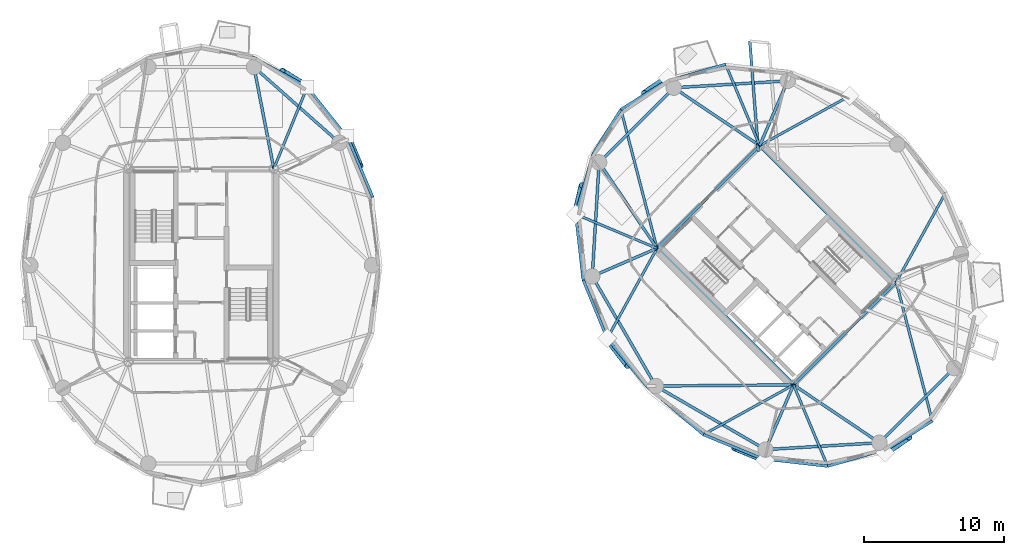
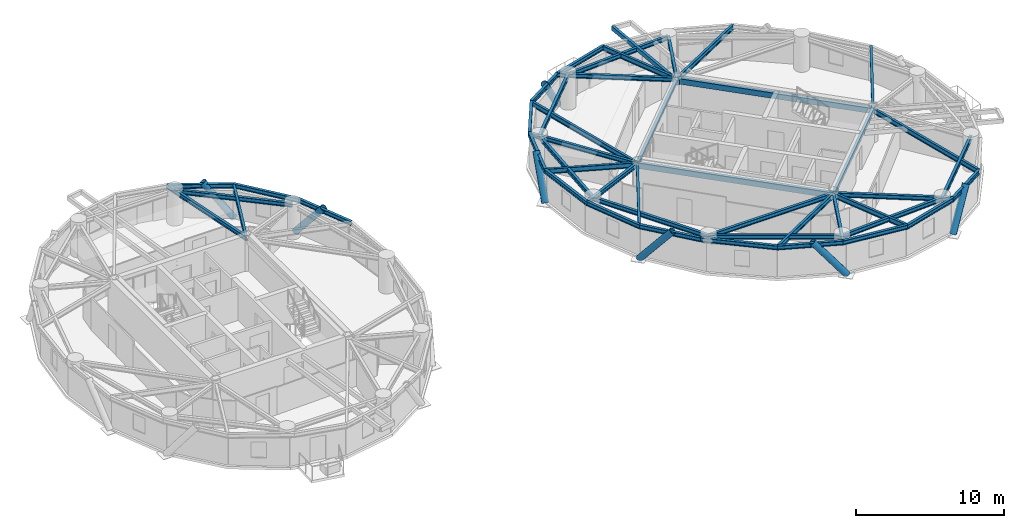
# One storey, part 4 of 16: 46 beams, 7 members.
"""IFC4 building model written with IfcOpenShell, lengths in metres."""

import ifcopenshell
import ifcopenshell.guid

model = None  # the IFC model being written
_history = None  # IfcOwnerHistory: only IFC2X3 demands one
_inside = {}  # id of a spatial element -> (the spatial element, [elements in it])
_under = {}  # id of a project, library or spatial element -> (it, [spatial elements below it])
_declared = {}  # id of a project -> (the project, [libraries it declares])
_typed = {}  # id of a type object -> (the type object, [elements of that type])
_made_of = {}  # id of a material, layer set ... -> (it, [elements and type objects made of it])


def new_model(schema):
    """Start an empty IFC model of exactly this schema.

    Asked for "IFC4X3", IfcOpenShell would pick the latest addendum, in which some entities
    have other attributes; the version numbers below select the first issue.
    IFC2X3 requires an IfcOwnerHistory on every rooted entity: one is made here for all.
    """
    global model, _history
    if schema == "IFC4X3":
        model = ifcopenshell.file(schema_version=(4, 3, 0, 0))
    else:
        model = ifcopenshell.file(schema=schema)
    _inside.clear()
    _under.clear()
    _declared.clear()
    _typed.clear()
    _made_of.clear()
    _history = None
    if model.schema == "IFC2X3":
        org = make("IfcOrganization", Name="unknown")
        user = make(
            "IfcPersonAndOrganization",
            ThePerson=make("IfcPerson", FamilyName="unknown"),
            TheOrganization=org,
        )
        app = make(
            "IfcApplication",
            ApplicationDeveloper=org,
            Version="unknown",
            ApplicationFullName="unknown",
            ApplicationIdentifier="unknown",
        )
        _history = make(
            "IfcOwnerHistory",
            OwningUser=user,
            OwningApplication=app,
            ChangeAction="ADDED",
            CreationDate=0,
        )
    return model


def make(cls, **values):
    """One entity of the class cls with the attributes given. An attribute that is None is left unset."""
    return model.create_entity(
        cls, **{name: value for name, value in values.items() if value is not None}
    )


def rooted(cls, **values):
    """An entity with a GlobalId (a new one), such as an element, a storey or a relation."""
    return make(cls, GlobalId=ifcopenshell.guid.new(), OwnerHistory=_history, **values)


def si_unit(unit_type, name, prefix=None):
    """IfcSIUnit, for example si_unit("LENGTHUNIT", "METRE", prefix="MILLI")."""
    return make("IfcSIUnit", UnitType=unit_type, Prefix=prefix, Name=name)


def assignment(units):
    """IfcUnitAssignment: the units of a project."""
    return None if units is None else make("IfcUnitAssignment", Units=units)


def point(xyz):
    """IfcCartesianPoint."""
    return None if xyz is None else make("IfcCartesianPoint", Coordinates=xyz)


def direction(xyz):
    """IfcDirection."""
    return None if xyz is None else make("IfcDirection", DirectionRatios=xyz)


def frame(location, z_axis=None, x_axis=None):
    """IfcAxis2Placement3D, a coordinate frame: its origin and axes. An axis left out is left unset."""
    return make(
        "IfcAxis2Placement3D",
        Location=point(location),
        Axis=direction(z_axis),
        RefDirection=direction(x_axis),
    )


def frame_2d(location, x_axis=None):
    """IfcAxis2Placement2D, a coordinate frame in the plane: its origin and x axis."""
    return make(
        "IfcAxis2Placement2D", Location=point(location), RefDirection=direction(x_axis)
    )


def origin():
    """The frame at (0, 0, 0) with its axes left unset."""
    return frame((0.0, 0.0, 0.0))


def origin_2d():
    """The frame at (0, 0) in the plane with its x axis left unset."""
    return frame_2d((0.0, 0.0))


def place(relative_to, where):
    """IfcLocalPlacement: puts the frame where relative to a parent placement (None: the world)."""
    return make(
        "IfcLocalPlacement", PlacementRelTo=relative_to, RelativePlacement=where
    )


def context(
    kind, dimensions, precision=None, world=None, true_north=None, identifier=None
):
    """IfcGeometricRepresentationContext, for example the 3D "Model" context."""
    return make(
        "IfcGeometricRepresentationContext",
        ContextIdentifier=identifier,
        ContextType=kind,
        CoordinateSpaceDimension=dimensions,
        Precision=precision,
        WorldCoordinateSystem=world,
        TrueNorth=true_north,
    )


def subcontext(parent, identifier, kind, view, scale=None):
    """IfcGeometricRepresentationSubContext, for example "Body" below "Model"."""
    return make(
        "IfcGeometricRepresentationSubContext",
        ContextIdentifier=identifier,
        ContextType=kind,
        ParentContext=parent,
        TargetScale=scale,
        TargetView=view,
    )


def project(units=None, contexts=None):
    """IfcProject with its units and contexts."""
    return rooted(
        "IfcProject",
        Name="project",
        RepresentationContexts=contexts,
        UnitsInContext=assignment(units),
    )


def spatial(cls, under=None, at=None, **own):
    """A site, building, storey or space (cls), placed at a placement, below another one or the project."""
    s = rooted(cls, ObjectPlacement=at, **own)
    if under is not None:
        _under.setdefault(under.id(), (under, []))[1].append(s)
    return s


def profile(cls, at=None, kind="AREA", **sizes):
    """A parametric profile (cls). Its sizes go by their IFC names, for example OverallWidth=200.0."""
    return make(cls, ProfileType=kind, Position=at, **sizes)


def hollow_rectangle(**sizes):
    """IfcRectangleHollowProfileDef."""
    return profile("IfcRectangleHollowProfileDef", **sizes)


def hollow_circle(**sizes):
    """IfcCircleHollowProfileDef."""
    return profile("IfcCircleHollowProfileDef", **sizes)


def i_section(**sizes):
    """IfcIShapeProfileDef."""
    return profile("IfcIShapeProfileDef", **sizes)


def extrude(swept, where, along, depth):
    """IfcExtrudedAreaSolid: the profile swept, set in the frame where, extruded along a direction by depth."""
    return make(
        "IfcExtrudedAreaSolid",
        SweptArea=swept,
        Position=where,
        ExtrudedDirection=direction(along),
        Depth=depth,
    )


def shape(context_of_items, identifier, shape_type, items):
    """IfcShapeRepresentation: the items that make up one representation, for example the "Body"."""
    return make(
        "IfcShapeRepresentation",
        ContextOfItems=context_of_items,
        RepresentationIdentifier=identifier,
        RepresentationType=shape_type,
        Items=items,
    )


def material(Name=None, Category=None):
    """IfcMaterial."""
    return make("IfcMaterial", Name=Name, Category=Category)


def material_profile(
    of_material, cross_section, Name=None, Category=None, Priority=None
):
    """IfcMaterialProfile: a cross section and its material."""
    return make(
        "IfcMaterialProfile",
        Name=Name,
        Material=of_material,
        Profile=cross_section,
        Priority=Priority,
        Category=Category,
    )


def profile_set(profiles, Name=None, composite=None):
    """IfcMaterialProfileSet."""
    return make(
        "IfcMaterialProfileSet",
        Name=Name,
        MaterialProfiles=profiles,
        CompositeProfile=composite,
    )


def made_of(thing, what):
    """Note that an element or type object is made of a material, layer set ...; save() writes the relation."""
    if what is not None:
        _made_of.setdefault(what.id(), (what, []))[1].append(thing)
    return thing


def type_object(cls, material=None, **own):
    """A type object (cls), such as IfcWallType, which elements share."""
    return made_of(rooted(cls, **own), material)


def element(
    cls,
    number,
    at=None,
    inside=None,
    cuts=None,
    type_object=None,
    material=None,
    context=None,
    identifier="Body",
    shape_type=None,
    held_by="IfcProductDefinitionShape",
    body=None,
    shapes=None,
    **own,
):
    """One element of the class cls, such as IfcWall. Its Tag is "e" and its number.

    at: its placement. inside: the storey or other place that contains it. cuts: it is an
    opening in that element (IfcRelVoidsElement). A single representation is given by context,
    identifier, shape_type and body (its items); several are given by shapes. held_by: the class
    of the entity that holds the representations. save() writes the other relations.
    """
    e = rooted(cls, Tag="e%d" % number, ObjectPlacement=at, **own)
    if body is not None:
        shapes = [shape(context, identifier, shape_type, body)]
    if shapes is not None:
        e.Representation = make(held_by, Representations=shapes)
    if inside is not None:
        _inside.setdefault(inside.id(), (inside, []))[1].append(e)
    if cuts is not None:
        rooted(
            "IfcRelVoidsElement", RelatingBuildingElement=cuts, RelatedOpeningElement=e
        )
    if type_object is not None:
        _typed.setdefault(type_object.id(), (type_object, []))[1].append(e)
    return made_of(e, material)


def aggregate(whole, parts):
    """IfcRelAggregates: a whole, such as a stair, and the parts it consists of."""
    return rooted("IfcRelAggregates", RelatingObject=whole, RelatedObjects=parts)


def save(model, path):
    """Write the relations noted so far, then the file.

    IfcRelAggregates (storeys below a building ...), IfcRelContainedInSpatialStructure (elements
    in a storey), IfcRelDefinesByType, IfcRelAssociatesMaterial and IfcRelDeclares: one each for
    every whole, place, type object, material and project.
    """
    for whole, parts in _under.values():
        aggregate(whole, parts)
    for where, things in _inside.values():
        rooted(
            "IfcRelContainedInSpatialStructure",
            RelatedElements=things,
            RelatingStructure=where,
        )
    for kind, things in _typed.values():
        rooted("IfcRelDefinesByType", RelatedObjects=things, RelatingType=kind)
    for what, things in _made_of.values():
        rooted("IfcRelAssociatesMaterial", RelatedObjects=things, RelatingMaterial=what)
    for by, libraries in _declared.values():
        rooted("IfcRelDeclares", RelatingContext=by, RelatedDefinitions=libraries)
    model.write(path)


model = new_model("IFC4")

# Units and contexts
model_context = context("Model", 3, precision=1e-05, world=origin(), true_north=direction((0.0, 1.0)))
body_context = subcontext(model_context, "Body", "Model", "MODEL_VIEW")
ifc_project = project(units=[si_unit("LENGTHUNIT", "METRE"), si_unit("AREAUNIT", "SQUARE_METRE"), si_unit("VOLUMEUNIT", "CUBIC_METRE"), si_unit("PLANEANGLEUNIT", "RADIAN"), si_unit("MASSUNIT", "GRAM", prefix="KILO")], contexts=[model_context])

# Site, building, storey
site_placement = place(None, origin())
site = spatial("IfcSite", under=ifc_project, at=site_placement, CompositionType="ELEMENT")
building_placement = place(site_placement, origin())
building = spatial("IfcBuilding", under=site, at=building_placement, Name="Cununo Teusaquillo Station Towers", CompositionType="ELEMENT")
storey_placement = place(building_placement, frame((0.0, 0.0, 196.659912109375)))
storey = spatial("IfcBuildingStorey", under=building, at=storey_placement, Name="L62", CompositionType="ELEMENT", Elevation=196.659912109375)

# Beams
ifc_material_1 = material(Name="Steel EN 10025-2 S355J2", Category="steel")
ifc_material_profile_1 = material_profile(ifc_material_1, hollow_rectangle(XDim=0.199951171875, YDim=0.35009765625, WallThickness=0.013916015625, at=origin_2d()), Name="RHS 350x200x14")
ifc_profile_set_1 = profile_set([ifc_material_profile_1], Name="Steel EN 10025-2 S355J2")
beam_type_1 = type_object("IfcBeamType", Name="BM-BAL-CANT", PredefinedType="BEAM", material=ifc_profile_set_1)
beam_1_placement = place(storey_placement, frame((56.1982421875, 32.602783203125, 2.525146484375), z_axis=(-0.076982450804, 0.997032447952, 0.0), x_axis=(-0.997032447952, -0.076982450804, 0.0)))
element("IfcBeam", 1, at=beam_1_placement, inside=storey, type_object=beam_type_1, Name="L62 Tower B Balcony Cantilever Bracket 1B", PredefinedType="BEAM", context=body_context, shape_type="SweptSolid", body=[
    extrude(hollow_rectangle(XDim=0.199951171875, YDim=0.35009765625, WallThickness=0.013916015625, at=origin_2d()), origin(), (0.0, 0.0, 1.0), 7.89990234375),
])
ifc_material_2 = material(Name="Steel EN 10025-2 S355J2", Category="steel")
ifc_material_profile_2 = material_profile(ifc_material_2, hollow_rectangle(XDim=0.25, YDim=0.449951171875, WallThickness=0.01611328125, at=origin_2d()), Name="RHS 450x250x16")
ifc_profile_set_2 = profile_set([ifc_material_profile_2], Name="Steel EN 10025-2 S355J2")
beam_type_2 = type_object("IfcBeamType", Name="BM-COUP-1", PredefinedType="USERDEFINED", material=ifc_profile_set_2)
for number, where, z_axis, x_axis, name in (
    (2, (58.70556640625, 15.975830078125, 2.47509765625), (-0.707106781187, 0.707106781187, 0.0), (-0.707106781187, -0.707106781187, 0.0), "L62 Tower B Core Beam 1"),
    (3, (66.024169921875, 23.29443359375, 2.47509765625), (-0.707106781187, 0.707106781187, 0.0), (-0.707106781187, -0.707106781187, 0.0), "L62 Tower B Core Beam 2"),
):
    element("IfcBeam", number, at=place(storey_placement, frame(where, z_axis=z_axis, x_axis=x_axis)), inside=storey, type_object=beam_type_2, Name=name, ObjectType="COUPLING BEAM", PredefinedType="USERDEFINED", context=body_context, shape_type="SweptSolid", body=[
        extrude(hollow_rectangle(XDim=0.25, YDim=0.449951171875, WallThickness=0.01611328125, at=origin_2d()), origin(), (0.0, 0.0, 1.0), 13.760009765625),
    ])
ifc_material_3 = material(Name="Steel ASTM A572 Grade 50", Category="steel")
ifc_material_profile_3 = material_profile(ifc_material_3, i_section(OverallWidth=0.180908203125, OverallDepth=0.4169921875, WebThickness=0.010986328125, FlangeThickness=0.018310546875, FilletRadius=0.012939453125, at=origin_2d()), Name="W16X57")
ifc_profile_set_3 = profile_set([ifc_material_profile_3], Name="Steel ASTM A572 Grade 50")
beam_type_3 = type_object("IfcBeamType", Name="BM-JOIST-1", PredefinedType="JOIST", material=ifc_profile_set_3)
beam_2_placement = place(storey_placement, frame((21.675048828125, 31.3798828125, 2.49169921875), z_axis=(0.378576847217, 0.925569862707, 0.0), x_axis=(-0.925569862707, 0.378576847217, 0.0)))
element("IfcBeam", 4, at=beam_2_placement, inside=storey, type_object=beam_type_3, Name="L62 Tower A Radial Spandrel Joist V03", PredefinedType="JOIST", context=body_context, shape_type="SweptSolid", body=[
    extrude(i_section(OverallWidth=0.180908203125, OverallDepth=0.4169921875, WebThickness=0.010986328125, FlangeThickness=0.018310546875, FilletRadius=0.012939453125, at=origin_2d()), origin(), (0.0, 0.0, 1.0), 6.28125),
])
beam_3_placement = place(storey_placement, frame((56.29443359375, 33.024169921875, 2.49169921875), z_axis=(0.8753153358, 0.483552544108, 0.0), x_axis=(-0.483552544108, 0.8753153358, 0.0)))
element("IfcBeam", 5, at=beam_3_placement, inside=storey, type_object=beam_type_3, Name="L62 Tower B Radial Spandrel Joist V01", PredefinedType="JOIST", context=body_context, shape_type="SweptSolid", body=[
    extrude(i_section(OverallWidth=0.180908203125, OverallDepth=0.4169921875, WebThickness=0.010986328125, FlangeThickness=0.018310546875, FilletRadius=0.012939453125, at=origin_2d()), origin(), (0.0, 0.0, 1.0), 7.3330078125),
])
beam_4_placement = place(storey_placement, frame((56.29443359375, 33.024169921875, 2.49169921875), z_axis=(-0.386786389381, 0.922169338565, 0.0), x_axis=(-0.922169338565, -0.386786389381, 0.0)))
element("IfcBeam", 6, at=beam_4_placement, inside=storey, type_object=beam_type_3, Name="L62 Tower B Radial Spandrel Joist V03", PredefinedType="JOIST", context=body_context, shape_type="SweptSolid", body=[
    extrude(i_section(OverallWidth=0.180908203125, OverallDepth=0.4169921875, WebThickness=0.010986328125, FlangeThickness=0.018310546875, FilletRadius=0.012939453125, at=origin_2d()), origin(), (0.0, 0.0, 1.0), 6.281005859375),
])
beam_5_placement = place(storey_placement, frame((48.975830078125, 25.70556640625, 2.49169921875), z_axis=(-0.251559992432, 0.967841707206, 0.0), x_axis=(-0.967841707206, -0.251559992432, 0.0)))
element("IfcBeam", 7, at=beam_5_placement, inside=storey, type_object=beam_type_3, Name="L62 Tower B Radial Spandrel Joist V05", PredefinedType="JOIST", context=body_context, shape_type="SweptSolid", body=[
    extrude(i_section(OverallWidth=0.180908203125, OverallDepth=0.4169921875, WebThickness=0.010986328125, FlangeThickness=0.018310546875, FilletRadius=0.012939453125, at=origin_2d()), origin(), (0.0, 0.0, 1.0), 10.217529296875),
])
beam_6_placement = place(storey_placement, frame((48.975830078125, 25.70556640625, 2.49169921875), z_axis=(-0.922169338565, 0.386786389381, 0.0), x_axis=(-0.386786389381, -0.922169338565, 0.0)))
element("IfcBeam", 8, at=beam_6_placement, inside=storey, type_object=beam_type_3, Name="L62 Tower B Radial Spandrel Joist V07", PredefinedType="JOIST", context=body_context, shape_type="SweptSolid", body=[
    extrude(i_section(OverallWidth=0.180908203125, OverallDepth=0.4169921875, WebThickness=0.010986328125, FlangeThickness=0.018310546875, FilletRadius=0.012939453125, at=origin_2d()), origin(), (0.0, 0.0, 1.0), 6.281005859375),
])
for number, where, z_axis, x_axis, name in (
    (9, (48.975830078125, 25.70556640625, 2.49169921875), (-0.483552544108, -0.8753153358, 0.0), (0.8753153358, -0.483552544108, 0.0), "L62 Tower B Radial Spandrel Joist V09"),
    (10, (58.70556640625, 15.975830078125, 2.49169921875), (-0.8753153358, -0.483552544108, 0.0), (0.483552544108, -0.8753153358, 0.0), "L62 Tower B Radial Spandrel Joist V11"),
):
    element("IfcBeam", number, at=place(storey_placement, frame(where, z_axis=z_axis, x_axis=x_axis)), inside=storey, type_object=beam_type_3, Name=name, PredefinedType="JOIST", context=body_context, shape_type="SweptSolid", body=[
        extrude(i_section(OverallWidth=0.180908203125, OverallDepth=0.4169921875, WebThickness=0.010986328125, FlangeThickness=0.018310546875, FilletRadius=0.012939453125, at=origin_2d()), origin(), (0.0, 0.0, 1.0), 7.3330078125),
    ])
beam_7_placement = place(storey_placement, frame((58.70556640625, 15.975830078125, 2.49169921875), z_axis=(0.386786389381, -0.922169338565, 0.0), x_axis=(0.922169338565, 0.386786389381, 0.0)))
element("IfcBeam", 11, at=beam_7_placement, inside=storey, type_object=beam_type_3, Name="L62 Tower B Radial Spandrel Joist V13", PredefinedType="JOIST", context=body_context, shape_type="SweptSolid", body=[
    extrude(i_section(OverallWidth=0.180908203125, OverallDepth=0.4169921875, WebThickness=0.010986328125, FlangeThickness=0.018310546875, FilletRadius=0.012939453125, at=origin_2d()), origin(), (0.0, 0.0, 1.0), 6.281005859375),
])
beam_8_placement = place(storey_placement, frame((66.024169921875, 23.29443359375, 2.49169921875), z_axis=(0.251559992432, -0.967841707206, 0.0), x_axis=(0.967841707206, 0.251559992432, 0.0)))
element("IfcBeam", 12, at=beam_8_placement, inside=storey, type_object=beam_type_3, Name="L62 Tower B Radial Spandrel Joist V15", PredefinedType="JOIST", context=body_context, shape_type="SweptSolid", body=[
    extrude(i_section(OverallWidth=0.180908203125, OverallDepth=0.4169921875, WebThickness=0.010986328125, FlangeThickness=0.018310546875, FilletRadius=0.012939453125, at=origin_2d()), origin(), (0.0, 0.0, 1.0), 10.217529296875),
])
beam_9_placement = place(storey_placement, frame((66.024169921875, 23.29443359375, 2.49169921875), z_axis=(0.483552544108, 0.8753153358, 0.0), x_axis=(-0.8753153358, 0.483552544108, 0.0)))
element("IfcBeam", 13, at=beam_9_placement, inside=storey, type_object=beam_type_3, Name="L62 Tower B Radial Spandrel Joist V19", PredefinedType="JOIST", context=body_context, shape_type="SweptSolid", body=[
    extrude(i_section(OverallWidth=0.180908203125, OverallDepth=0.4169921875, WebThickness=0.010986328125, FlangeThickness=0.018310546875, FilletRadius=0.012939453125, at=origin_2d()), origin(), (0.0, 0.0, 1.0), 7.3330078125),
])
ifc_material_4 = material(Name="Steel ASTM A572 Grade 50", Category="steel")
ifc_material_profile_4 = material_profile(ifc_material_4, i_section(OverallWidth=0.2041015625, OverallDepth=0.35009765625, WebThickness=0.008544921875, FlangeThickness=0.01513671875, FilletRadius=0.011962890625, at=origin_2d()), Name="W14X48")
ifc_profile_set_4 = profile_set([ifc_material_profile_4], Name="Steel ASTM A572 Grade 50")
beam_type_4 = type_object("IfcBeamType", Name="BM-LINTEL-1", PredefinedType="LINTEL", material=ifc_profile_set_4)
for number, where, z_axis, x_axis, name in (
    (14, (58.70556640625, 15.975830078125, 2.525146484375), (0.707106781187, 0.707106781187, 0.0), (-0.707106781187, 0.707106781187, 0.0), "L62 Tower B Core Beam 3"),
    (15, (48.975830078125, 25.70556640625, 2.525146484375), (0.707106781187, 0.707106781187, 0.0), (-0.707106781187, 0.707106781187, 0.0), "L62 Tower B Core Beam 4"),
):
    element("IfcBeam", number, at=place(storey_placement, frame(where, z_axis=z_axis, x_axis=x_axis)), inside=storey, type_object=beam_type_4, Name=name, PredefinedType="LINTEL", context=body_context, shape_type="SweptSolid", body=[
        extrude(i_section(OverallWidth=0.2041015625, OverallDepth=0.35009765625, WebThickness=0.008544921875, FlangeThickness=0.01513671875, FilletRadius=0.011962890625, at=origin_2d()), origin(), (0.0, 0.0, 1.0), 10.35009765625),
    ])
ifc_material_5 = material(Name="Steel ASTM A572 Grade 50", Category="steel")
ifc_material_profile_5 = material_profile(ifc_material_5, i_section(OverallWidth=0.2041015625, OverallDepth=0.35009765625, WebThickness=0.008544921875, FlangeThickness=0.01513671875, FilletRadius=0.011962890625, at=origin_2d()), Name="W14X48")
ifc_profile_set_5 = profile_set([ifc_material_profile_5], Name="Steel ASTM A572 Grade 50")
beam_type_5 = type_object("IfcBeamType", Name="BM-RAD-G3", PredefinedType="BEAM", material=ifc_profile_set_5)
beam_10_placement = place(storey_placement, frame((21.675048828125, 31.3798828125, 2.525146484375), z_axis=(-0.191548487699, 0.981483151593, 0.0), x_axis=(-0.981483151593, -0.191548487699, 0.0)))
element("IfcBeam", 16, at=beam_10_placement, inside=storey, type_object=beam_type_5, Name="L62 Tower A Continuous Overhanging Radial Girder 03", PredefinedType="BEAM", context=body_context, shape_type="SweptSolid", body=[
    extrude(i_section(OverallWidth=0.2041015625, OverallDepth=0.35009765625, WebThickness=0.008544921875, FlangeThickness=0.01513671875, FilletRadius=0.011962890625, at=origin_2d()), origin(), (0.0, 0.0, 1.0), 8.1240234375),
])
beam_11_placement = place(storey_placement, frame((56.29443359375, 33.024169921875, 2.525146484375), z_axis=(0.397346986387, 0.917668443616, 0.0), x_axis=(-0.917668443616, 0.397346986387, 0.0)))
element("IfcBeam", 17, at=beam_11_placement, inside=storey, type_object=beam_type_5, Name="L62 Tower B Radial Girder 02A", PredefinedType="BEAM", context=body_context, shape_type="SweptSolid", body=[
    extrude(i_section(OverallWidth=0.2041015625, OverallDepth=0.35009765625, WebThickness=0.008544921875, FlangeThickness=0.01513671875, FilletRadius=0.011962890625, at=origin_2d()), origin(), (0.0, 0.0, 1.0), 5.02490234375),
])
for number, where, z_axis, x_axis, name in (
    (18, (56.29443359375, 33.024169921875, 2.525146484375), (-0.829456817529, 0.558570844079, 0.0), (-0.558570844079, -0.829456817529, 0.0), "L62 Tower B Continuous Overhanging Radial Girder 03"),
    (19, (48.975830078125, 25.70556640625, 2.525146484375), (-0.558570844079, 0.829456817529, 0.0), (-0.829456817529, -0.558570844079, 0.0), "L62 Tower B Continuous Overhanging Radial Girder 04"),
):
    element("IfcBeam", number, at=place(storey_placement, frame(where, z_axis=z_axis, x_axis=x_axis)), inside=storey, type_object=beam_type_5, Name=name, PredefinedType="BEAM", context=body_context, shape_type="SweptSolid", body=[
        extrude(i_section(OverallWidth=0.2041015625, OverallDepth=0.35009765625, WebThickness=0.008544921875, FlangeThickness=0.01513671875, FilletRadius=0.011962890625, at=origin_2d()), origin(), (0.0, 0.0, 1.0), 8.1240234375),
    ])
beam_12_placement = place(storey_placement, frame((48.975830078125, 25.70556640625, 2.525146484375), z_axis=(-0.917665176837, -0.397354530893, 0.0), x_axis=(0.397354530893, -0.917665176837, 0.0)))
element("IfcBeam", 20, at=beam_12_placement, inside=storey, type_object=beam_type_5, Name="L62 Tower B Continuous Overhanging Radial Girder 05", PredefinedType="BEAM", context=body_context, shape_type="SweptSolid", body=[
    extrude(i_section(OverallWidth=0.2041015625, OverallDepth=0.35009765625, WebThickness=0.008544921875, FlangeThickness=0.01513671875, FilletRadius=0.011962890625, at=origin_2d()), origin(), (0.0, 0.0, 1.0), 5.716552734375),
])
beam_13_placement = place(storey_placement, frame((58.70556640625, 15.975830078125, 2.525146484375), z_axis=(-0.999964431382, -0.008434214327, 0.0), x_axis=(0.008434214327, -0.999964431382, 0.0)))
element("IfcBeam", 21, at=beam_13_placement, inside=storey, type_object=beam_type_5, Name="L62 Tower B Radial Girder 06A", PredefinedType="BEAM", context=body_context, shape_type="SweptSolid", body=[
    extrude(i_section(OverallWidth=0.2041015625, OverallDepth=0.35009765625, WebThickness=0.008544921875, FlangeThickness=0.01513671875, FilletRadius=0.011962890625, at=origin_2d()), origin(), (0.0, 0.0, 1.0), 9.812744140625),
])
beam_14_placement = place(storey_placement, frame((58.70556640625, 15.975830078125, 2.525146484375), z_axis=(-0.397354530893, -0.917665176837, 0.0), x_axis=(0.917665176837, -0.397354530893, 0.0)))
element("IfcBeam", 22, at=beam_14_placement, inside=storey, type_object=beam_type_5, Name="L62 Tower B Continuous Overhanging Radial Girder 07", PredefinedType="BEAM", context=body_context, shape_type="SweptSolid", body=[
    extrude(i_section(OverallWidth=0.2041015625, OverallDepth=0.35009765625, WebThickness=0.008544921875, FlangeThickness=0.01513671875, FilletRadius=0.011962890625, at=origin_2d()), origin(), (0.0, 0.0, 1.0), 5.716552734375),
])
beam_15_placement = place(storey_placement, frame((58.70556640625, 15.975830078125, 2.525146484375), z_axis=(0.829456817529, -0.558570844079, 0.0), x_axis=(0.558570844079, 0.829456817529, 0.0)))
element("IfcBeam", 23, at=beam_15_placement, inside=storey, type_object=beam_type_5, Name="L62 Tower B Continuous Overhanging Radial Girder 08", PredefinedType="BEAM", context=body_context, shape_type="SweptSolid", body=[
    extrude(i_section(OverallWidth=0.2041015625, OverallDepth=0.35009765625, WebThickness=0.008544921875, FlangeThickness=0.01513671875, FilletRadius=0.011962890625, at=origin_2d()), origin(), (0.0, 0.0, 1.0), 8.1240234375),
])
ifc_material_6 = material(Name="Steel ASTM A572 Grade 50", Category="steel")
ifc_material_profile_6 = material_profile(ifc_material_6, i_section(OverallWidth=0.2041015625, OverallDepth=0.35009765625, WebThickness=0.008544921875, FlangeThickness=0.01513671875, FilletRadius=0.011962890625, at=origin_2d()), Name="W14X48")
ifc_profile_set_6 = profile_set([ifc_material_profile_6], Name="Steel ASTM A572 Grade 50")
beam_type_6 = type_object("IfcBeamType", Name="BM-RING-Z4", PredefinedType="SPANDREL", material=ifc_profile_set_6)
beam_16_placement = place(storey_placement, frame((26.347412109375, 33.228515625, 2.525146484375), z_axis=(-0.74832120039, 0.66333655187, 0.0), x_axis=(-0.66333655187, -0.74832120039, 0.0)))
element("IfcBeam", 24, at=beam_16_placement, inside=storey, type_object=beam_type_6, Name="L62 Tower A Structural Column Ring Girder 02", PredefinedType="SPANDREL", context=body_context, shape_type="SweptSolid", body=[
    extrude(i_section(OverallWidth=0.2041015625, OverallDepth=0.35009765625, WebThickness=0.008544921875, FlangeThickness=0.01513671875, FilletRadius=0.011962890625, at=origin_2d()), origin(), (0.0, 0.0, 1.0), 8.1328125),
])
beam_17_placement = place(storey_placement, frame((28.72119140625, 29.348388671875, 2.525146484375), z_axis=(-0.386115454066, 0.922450462698, 0.0), x_axis=(-0.922450462698, -0.386115454066, 0.0)))
element("IfcBeam", 25, at=beam_17_placement, inside=storey, type_object=beam_type_6, Name="L62 Tower A Spandrel Ring Beam 02", PredefinedType="SPANDREL", context=body_context, shape_type="SweptSolid", body=[
    extrude(i_section(OverallWidth=0.2041015625, OverallDepth=0.35009765625, WebThickness=0.008544921875, FlangeThickness=0.01513671875, FilletRadius=0.011962890625, at=origin_2d()), origin(), (0.0, 0.0, 1.0), 4.482421875),
])
beam_18_placement = place(storey_placement, frame((26.990478515625, 33.483154296875, 2.525146484375), z_axis=(-0.620710872531, 0.784039547932, 0.0), x_axis=(-0.784039547932, -0.620710872531, 0.0)))
element("IfcBeam", 26, at=beam_18_placement, inside=storey, type_object=beam_type_6, Name="L62 Tower A Spandrel Ring Beam 03", PredefinedType="SPANDREL", context=body_context, shape_type="SweptSolid", body=[
    extrude(i_section(OverallWidth=0.2041015625, OverallDepth=0.35009765625, WebThickness=0.008544921875, FlangeThickness=0.01513671875, FilletRadius=0.011962890625, at=origin_2d()), origin(), (0.0, 0.0, 1.0), 4.732421875),
])
beam_19_placement = place(storey_placement, frame((24.052978515625, 37.193603515625, 2.525146484375), z_axis=(-0.876576300909, 0.481262910149, 0.0), x_axis=(-0.481262910149, -0.876576300909, 0.0)))
element("IfcBeam", 27, at=beam_19_placement, inside=storey, type_object=beam_type_6, Name="L62 Tower A Spandrel Ring Beam 04", PredefinedType="SPANDREL", context=body_context, shape_type="SweptSolid", body=[
    extrude(i_section(OverallWidth=0.2041015625, OverallDepth=0.35009765625, WebThickness=0.008544921875, FlangeThickness=0.01513671875, FilletRadius=0.011962890625, at=origin_2d()), origin(), (0.0, 0.0, 1.0), 4.488037109375),
])
beam_20_placement = place(storey_placement, frame((58.291015625, 37.63525390625, 2.525146484375), z_axis=(-0.998190567048, -0.06012979176, 0.0), x_axis=(0.06012979176, -0.998190567048, 0.0)))
element("IfcBeam", 28, at=beam_20_placement, inside=storey, type_object=beam_type_6, Name="L62 Tower B Structural Column Ring Girder 02", PredefinedType="SPANDREL", context=body_context, shape_type="SweptSolid", body=[
    extrude(i_section(OverallWidth=0.2041015625, OverallDepth=0.35009765625, WebThickness=0.008544921875, FlangeThickness=0.01513671875, FilletRadius=0.011962890625, at=origin_2d()), origin(), (0.0, 0.0, 1.0), 8.132568359375),
])
beam_21_placement = place(storey_placement, frame((50.173095703125, 37.146240234375, 2.525146484375), z_axis=(-0.707106781187, -0.707106781187, 0.0), x_axis=(0.707106781187, -0.707106781187, 0.0)))
element("IfcBeam", 29, at=beam_21_placement, inside=storey, type_object=beam_type_6, Name="L62 Tower B Structural Column Ring Girder 03", PredefinedType="SPANDREL", context=body_context, shape_type="SweptSolid", body=[
    extrude(i_section(OverallWidth=0.2041015625, OverallDepth=0.35009765625, WebThickness=0.008544921875, FlangeThickness=0.01513671875, FilletRadius=0.011962890625, at=origin_2d()), origin(), (0.0, 0.0, 1.0), 7.522705078125),
])
beam_22_placement = place(storey_placement, frame((44.853759765625, 31.826904296875, 2.525146484375), z_axis=(-0.06012979176, -0.998190567048, 0.0), x_axis=(0.998190567048, -0.06012979176, 0.0)))
element("IfcBeam", 30, at=beam_22_placement, inside=storey, type_object=beam_type_6, Name="L62 Tower B Structural Column Ring Girder 04", PredefinedType="SPANDREL", context=body_context, shape_type="SweptSolid", body=[
    extrude(i_section(OverallWidth=0.2041015625, OverallDepth=0.35009765625, WebThickness=0.008544921875, FlangeThickness=0.01513671875, FilletRadius=0.011962890625, at=origin_2d()), origin(), (0.0, 0.0, 1.0), 8.132568359375),
])
for number, where, z_axis, x_axis, name in (
    (31, (44.36474609375, 23.708984375, 2.525146484375), (0.501311121078, -0.865267103202, 0.0), (0.865267103202, 0.501311121078, 0.0), "L62 Tower B Structural Column Ring Girder 05"),
    (32, (48.89306640625, 15.89306640625, 2.525146484375), (0.865267103202, -0.501311121078, 0.0), (0.501311121078, 0.865267103202, 0.0), "L62 Tower B Structural Column Ring Girder 06"),
):
    element("IfcBeam", number, at=place(storey_placement, frame(where, z_axis=z_axis, x_axis=x_axis)), inside=storey, type_object=beam_type_6, Name=name, PredefinedType="SPANDREL", context=body_context, shape_type="SweptSolid", body=[
        extrude(i_section(OverallWidth=0.2041015625, OverallDepth=0.35009765625, WebThickness=0.008544921875, FlangeThickness=0.01513671875, FilletRadius=0.011962890625, at=origin_2d()), origin(), (0.0, 0.0, 1.0), 9.032958984375),
    ])
beam_23_placement = place(storey_placement, frame((56.708984375, 11.36474609375, 2.525146484375), z_axis=(0.998190567048, 0.06012979176, 0.0), x_axis=(-0.06012979176, 0.998190567048, 0.0)))
element("IfcBeam", 33, at=beam_23_placement, inside=storey, type_object=beam_type_6, Name="L62 Tower B Structural Column Ring Girder 07", PredefinedType="SPANDREL", context=body_context, shape_type="SweptSolid", body=[
    extrude(i_section(OverallWidth=0.2041015625, OverallDepth=0.35009765625, WebThickness=0.008544921875, FlangeThickness=0.01513671875, FilletRadius=0.011962890625, at=origin_2d()), origin(), (0.0, 0.0, 1.0), 8.132568359375),
])
beam_24_placement = place(storey_placement, frame((64.826904296875, 11.853759765625, 2.525146484375), z_axis=(0.707106781187, 0.707106781187, 0.0), x_axis=(-0.707106781187, 0.707106781187, 0.0)))
element("IfcBeam", 34, at=beam_24_placement, inside=storey, type_object=beam_type_6, Name="L62 Tower B Structural Column Ring Girder 08", PredefinedType="SPANDREL", context=body_context, shape_type="SweptSolid", body=[
    extrude(i_section(OverallWidth=0.2041015625, OverallDepth=0.35009765625, WebThickness=0.008544921875, FlangeThickness=0.01513671875, FilletRadius=0.011962890625, at=origin_2d()), origin(), (0.0, 0.0, 1.0), 7.522705078125),
])
beam_25_placement = place(storey_placement, frame((53.864990234375, 38.81640625, 2.525146484375), z_axis=(-0.96014487762, -0.279502797802, 0.0), x_axis=(0.279502797802, -0.96014487762, 0.0)))
element("IfcBeam", 35, at=beam_25_placement, inside=storey, type_object=beam_type_6, Name="L62 Tower B Spandrel Ring Beam 04", PredefinedType="SPANDREL", context=body_context, shape_type="SweptSolid", body=[
    extrude(i_section(OverallWidth=0.2041015625, OverallDepth=0.35009765625, WebThickness=0.008544921875, FlangeThickness=0.01513671875, FilletRadius=0.011962890625, at=origin_2d()), origin(), (0.0, 0.0, 1.0), 4.488037109375),
])
for number, where, z_axis, x_axis, name in (
    (36, (49.555908203125, 37.56201171875, 2.525146484375), (-0.848175505099, -0.529715312739, 0.0), (0.529715312739, -0.848175505099, 0.0), "L62 Tower B Spandrel Ring Beam 05"),
    (37, (46.405517578125, 35.594482421875, 2.525146484375), (-0.529715312739, -0.848175505099, 0.0), (0.848175505099, -0.529715312739, 0.0), "L62 Tower B Spandrel Ring Beam 06"),
):
    element("IfcBeam", number, at=place(storey_placement, frame(where, z_axis=z_axis, x_axis=x_axis)), inside=storey, type_object=beam_type_6, Name=name, PredefinedType="SPANDREL", context=body_context, shape_type="SweptSolid", body=[
        extrude(i_section(OverallWidth=0.2041015625, OverallDepth=0.35009765625, WebThickness=0.008544921875, FlangeThickness=0.01513671875, FilletRadius=0.011962890625, at=origin_2d()), origin(), (0.0, 0.0, 1.0), 3.71435546875),
    ])
beam_26_placement = place(storey_placement, frame((44.43798828125, 32.444091796875, 2.525146484375), z_axis=(-0.279502797802, -0.96014487762, 0.0), x_axis=(0.96014487762, -0.279502797802, 0.0)))
element("IfcBeam", 38, at=beam_26_placement, inside=storey, type_object=beam_type_6, Name="L62 Tower B Spandrel Ring Beam 07", PredefinedType="SPANDREL", context=body_context, shape_type="SweptSolid", body=[
    extrude(i_section(OverallWidth=0.2041015625, OverallDepth=0.35009765625, WebThickness=0.008544921875, FlangeThickness=0.01513671875, FilletRadius=0.011962890625, at=origin_2d()), origin(), (0.0, 0.0, 1.0), 4.488037109375),
])
beam_27_placement = place(storey_placement, frame((43.18359375, 28.135009765625, 2.525146484375), z_axis=(0.115452326356, -0.993313022334, 0.0), x_axis=(0.993313022334, 0.115452326356, 0.0)))
element("IfcBeam", 39, at=beam_27_placement, inside=storey, type_object=beam_type_6, Name="L62 Tower B Spandrel Ring Beam 08", PredefinedType="SPANDREL", context=body_context, shape_type="SweptSolid", body=[
    extrude(i_section(OverallWidth=0.2041015625, OverallDepth=0.35009765625, WebThickness=0.008544921875, FlangeThickness=0.01513671875, FilletRadius=0.011962890625, at=origin_2d()), origin(), (0.0, 0.0, 1.0), 4.732666015625),
])
beam_28_placement = place(storey_placement, frame((43.72998046875, 23.43408203125, 2.525146484375), z_axis=(0.379275405388, -0.925283830437, 0.0), x_axis=(0.925283830437, 0.379275405388, 0.0)))
element("IfcBeam", 40, at=beam_28_placement, inside=storey, type_object=beam_type_6, Name="L62 Tower B Spandrel Ring Beam 09", PredefinedType="SPANDREL", context=body_context, shape_type="SweptSolid", body=[
    extrude(i_section(OverallWidth=0.2041015625, OverallDepth=0.35009765625, WebThickness=0.008544921875, FlangeThickness=0.01513671875, FilletRadius=0.011962890625, at=origin_2d()), origin(), (0.0, 0.0, 1.0), 4.482177734375),
])
beam_29_placement = place(storey_placement, frame((45.429931640625, 19.286865234375, 2.525146484375), z_axis=(0.637524682095, -0.770429931739, 0.0), x_axis=(0.770429931739, 0.637524682095, 0.0)))
element("IfcBeam", 41, at=beam_29_placement, inside=storey, type_object=beam_type_6, Name="L62 Tower B Spandrel Ring Beam 10", PredefinedType="SPANDREL", context=body_context, shape_type="SweptSolid", body=[
    extrude(i_section(OverallWidth=0.2041015625, OverallDepth=0.35009765625, WebThickness=0.008544921875, FlangeThickness=0.01513671875, FilletRadius=0.011962890625, at=origin_2d()), origin(), (0.0, 0.0, 1.0), 4.412353515625),
])
beam_30_placement = place(storey_placement, frame((48.242919921875, 15.887451171875, 2.525146484375), z_axis=(0.760065778291, -0.649846145385, 0.0), x_axis=(0.649846145385, 0.760065778291, 0.0)))
element("IfcBeam", 42, at=beam_30_placement, inside=storey, type_object=beam_type_6, Name="L62 Tower B Spandrel Ring Beam 11", PredefinedType="SPANDREL", context=body_context, shape_type="SweptSolid", body=[
    extrude(i_section(OverallWidth=0.2041015625, OverallDepth=0.35009765625, WebThickness=0.008544921875, FlangeThickness=0.01513671875, FilletRadius=0.011962890625, at=origin_2d()), origin(), (0.0, 0.0, 1.0), 5.320556640625),
])
beam_31_placement = place(storey_placement, frame((52.286865234375, 12.429931640625, 2.525146484375), z_axis=(0.925283830437, -0.379275405388, 0.0), x_axis=(0.379275405388, 0.925283830437, 0.0)))
element("IfcBeam", 43, at=beam_31_placement, inside=storey, type_object=beam_type_6, Name="L62 Tower B Spandrel Ring Beam 12", PredefinedType="SPANDREL", context=body_context, shape_type="SweptSolid", body=[
    extrude(i_section(OverallWidth=0.2041015625, OverallDepth=0.35009765625, WebThickness=0.008544921875, FlangeThickness=0.01513671875, FilletRadius=0.011962890625, at=origin_2d()), origin(), (0.0, 0.0, 1.0), 4.482177734375),
])
beam_32_placement = place(storey_placement, frame((56.43408203125, 10.72998046875, 2.525146484375), z_axis=(0.993313022334, -0.115452326356, 0.0), x_axis=(0.115452326356, 0.993313022334, 0.0)))
element("IfcBeam", 44, at=beam_32_placement, inside=storey, type_object=beam_type_6, Name="L62 Tower B Spandrel Ring Beam 13", PredefinedType="SPANDREL", context=body_context, shape_type="SweptSolid", body=[
    extrude(i_section(OverallWidth=0.2041015625, OverallDepth=0.35009765625, WebThickness=0.008544921875, FlangeThickness=0.01513671875, FilletRadius=0.011962890625, at=origin_2d()), origin(), (0.0, 0.0, 1.0), 4.732666015625),
])
beam_33_placement = place(storey_placement, frame((61.135009765625, 10.18359375, 2.525146484375), z_axis=(0.96014487762, 0.279502797802, 0.0), x_axis=(-0.279502797802, 0.96014487762, 0.0)))
element("IfcBeam", 45, at=beam_33_placement, inside=storey, type_object=beam_type_6, Name="L62 Tower B Spandrel Ring Beam 14", PredefinedType="SPANDREL", context=body_context, shape_type="SweptSolid", body=[
    extrude(i_section(OverallWidth=0.2041015625, OverallDepth=0.35009765625, WebThickness=0.008544921875, FlangeThickness=0.01513671875, FilletRadius=0.011962890625, at=origin_2d()), origin(), (0.0, 0.0, 1.0), 4.488037109375),
])
beam_34_placement = place(storey_placement, frame((65.444091796875, 11.43798828125, 2.525146484375), z_axis=(0.848175505099, 0.529715312739, 0.0), x_axis=(-0.529715312739, 0.848175505099, 0.0)))
element("IfcBeam", 46, at=beam_34_placement, inside=storey, type_object=beam_type_6, Name="L62 Tower B Spandrel Ring Beam 15", PredefinedType="SPANDREL", context=body_context, shape_type="SweptSolid", body=[
    extrude(i_section(OverallWidth=0.2041015625, OverallDepth=0.35009765625, WebThickness=0.008544921875, FlangeThickness=0.01513671875, FilletRadius=0.011962890625, at=origin_2d()), origin(), (0.0, 0.0, 1.0), 3.71435546875),
])

# Members
ifc_material_7 = material(Name="Steel EN 10025-2 S355J2", Category="steel")
ifc_material_profile_7 = material_profile(ifc_material_7, hollow_circle(Radius=0.25390625, WallThickness=0.01806640625, at=origin_2d()), Name="CHS 508x18")
ifc_profile_set_7 = profile_set([ifc_material_profile_7], Name="Steel EN 10025-2 S355J2")
member_type = type_object("IfcMemberType", Name="MBR-DIAG-Z4", PredefinedType="BRACE", material=ifc_profile_set_7)
member_1_placement = place(storey_placement, frame((26.89599609375, 33.722412109375, -0.139892578125), z_axis=(0.243178360097, -0.58276932845, 0.77539937774), x_axis=(0.922875628603, 0.385098135713, 0.0)))
element("IfcMember", 47, at=member_1_placement, inside=storey, type_object=member_type, Name="L62 Tower A Folded-Zigzag Diagrid Tube C01", PredefinedType="BRACE", context=body_context, shape_type="SweptSolid", body=[
    extrude(hollow_circle(Radius=0.25390625, WallThickness=0.01806640625, at=origin_2d()), origin(), (0.0, 0.0, 1.0), 3.752685546875),
])
member_2_placement = place(storey_placement, frame((24.052978515625, 37.193603515625, -0.139892578125), z_axis=(-0.498333742466, 0.310032061152, 0.809656471708), x_axis=(-0.528249968439, -0.849088906325, 0.0)))
element("IfcMember", 48, at=member_2_placement, inside=storey, type_object=member_type, Name="L62 Tower A Folded-Zigzag Diagrid Tube C03", PredefinedType="BRACE", context=body_context, shape_type="SweptSolid", body=[
    extrude(hollow_circle(Radius=0.25390625, WallThickness=0.01806640625, at=origin_2d()), origin(), (0.0, 0.0, 1.0), 3.593994140625),
])
member_3_placement = place(storey_placement, frame((49.75634765625, 37.859375, -0.139892578125), z_axis=(-0.472833395843, -0.319539747912, 0.821171680759), x_axis=(0.559926853965, -0.828542043718, 0.0)))
element("IfcMember", 49, at=member_3_placement, inside=storey, type_object=member_type, Name="L62 Tower B Folded-Zigzag Diagrid Tube C04", PredefinedType="BRACE", context=body_context, shape_type="SweptSolid", body=[
    extrude(hollow_circle(Radius=0.25390625, WallThickness=0.01806640625, at=origin_2d()), origin(), (0.0, 0.0, 1.0), 3.543701171875),
])
member_4_placement = place(storey_placement, frame((43.18359375, 28.135009765625, -0.139892578125), z_axis=(0.13314567374, 0.571575356555, 0.809675145564), x_axis=(-0.97392481585, 0.226871005356, 0.0)))
element("IfcMember", 50, at=member_4_placement, inside=storey, type_object=member_type, Name="L62 Tower B Folded-Zigzag Diagrid Tube C06", PredefinedType="BRACE", context=body_context, shape_type="SweptSolid", body=[
    extrude(hollow_circle(Radius=0.25390625, WallThickness=0.01806640625, at=origin_2d()), origin(), (0.0, 0.0, 1.0), 3.593994140625),
])
member_5_placement = place(storey_placement, frame((45.429931640625, 19.286865234375, -0.139892578125), z_axis=(0.39255480312, -0.50959536134, 0.765645671475), x_axis=(0.792204307351, 0.610255958934, 0.0)))
element("IfcMember", 51, at=member_5_placement, inside=storey, type_object=member_type, Name="L62 Tower B Folded-Zigzag Diagrid Tube C09", PredefinedType="BRACE", context=body_context, shape_type="SweptSolid", body=[
    extrude(hollow_circle(Radius=0.25390625, WallThickness=0.01806640625, at=origin_2d()), origin(), (0.0, 0.0, 1.0), 3.800537109375),
])
member_6_placement = place(storey_placement, frame((56.670166015625, 10.627685546875, -0.139892578125), z_axis=(-0.584015766292, 0.240125007618, 0.775413157896), x_axis=(-0.380273025704, -0.924874275738, 0.0)))
element("IfcMember", 52, at=member_6_placement, inside=storey, type_object=member_type, Name="L62 Tower B Folded-Zigzag Diagrid Tube C11", PredefinedType="BRACE", context=body_context, shape_type="SweptSolid", body=[
    extrude(hollow_circle(Radius=0.25390625, WallThickness=0.01806640625, at=origin_2d()), origin(), (0.0, 0.0, 1.0), 3.752685546875),
])
member_7_placement = place(storey_placement, frame((65.24365234375, 11.140625, -0.139892578125), z_axis=(0.472833395843, 0.319539747912, 0.821171680759), x_axis=(-0.559926853965, 0.828542043718, 0.0)))
element("IfcMember", 53, at=member_7_placement, inside=storey, type_object=member_type, Name="L62 Tower B Folded-Zigzag Diagrid Tube C14", PredefinedType="BRACE", context=body_context, shape_type="SweptSolid", body=[
    extrude(hollow_circle(Radius=0.25390625, WallThickness=0.01806640625, at=origin_2d()), origin(), (0.0, 0.0, 1.0), 3.543701171875),
])

save(model, "model.ifc")
